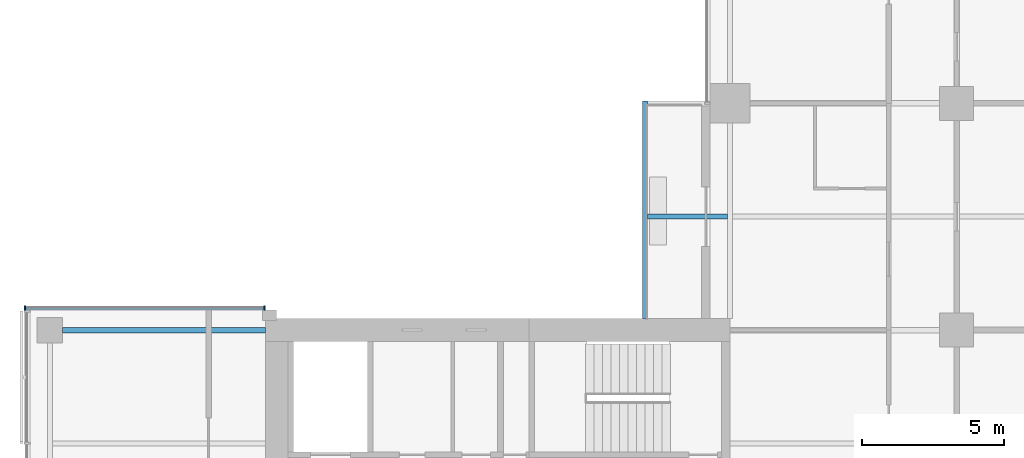
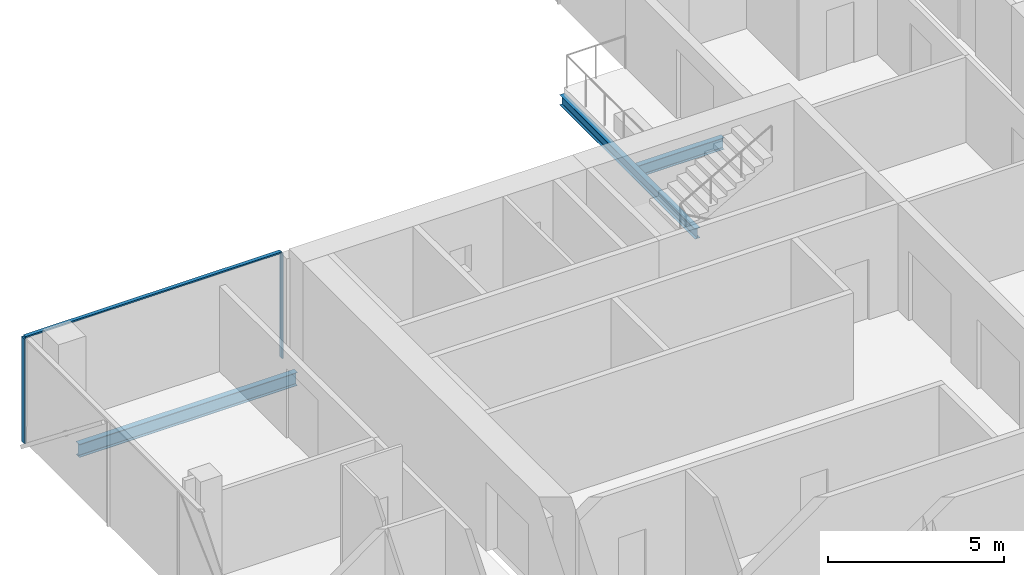
# One storey, part 8 of 27: 3 beams, 3 members, 1 element without a shape of its own.
"""IFC4 building model written with IfcOpenShell, lengths in metres."""

from ifc_helpers import new_model, si_unit, direction, frame, origin, origin_2d, place, context, subcontext, project, spatial, rectangle, i_section, extrude, material, material_profile, profile_set, type_object, element, aggregate, save


model = new_model("IFC4")

# Units and contexts
model_context = context("Model", 3, precision=1e-05, world=origin(), true_north=direction((0.0, 1.0)))
body_context = subcontext(model_context, "Body", "Model", "MODEL_VIEW")
ifc_project = project(units=[si_unit("LENGTHUNIT", "METRE"), si_unit("AREAUNIT", "SQUARE_METRE"), si_unit("VOLUMEUNIT", "CUBIC_METRE"), si_unit("PLANEANGLEUNIT", "RADIAN"), si_unit("MASSUNIT", "GRAM", prefix="KILO")], contexts=[model_context])

# Site, building, storey
site_placement = place(None, origin())
site = spatial("IfcSite", under=ifc_project, at=site_placement, CompositionType="ELEMENT")
building_placement = place(site_placement, origin())
building = spatial("IfcBuilding", under=site, at=building_placement, Name="Crosswind Convention Tower", CompositionType="ELEMENT")
storey_placement = place(building_placement, frame((0.0, 0.0, 83.10009765625)))
storey = spatial("IfcBuildingStorey", under=building, at=storey_placement, Name="L15", CompositionType="ELEMENT", Elevation=83.10009765625)

# Beams
ifc_material_1 = material(Name="Steel S355", Category="steel")
ifc_material_profile_1 = material_profile(ifc_material_1, i_section(OverallWidth=0.177734375, OverallDepth=0.406494140625, WebThickness=0.0078125, FlangeThickness=0.0126953125, FilletRadius=0.01025390625, at=origin_2d()), Name="UB 406x178x60")
ifc_profile_set_1 = profile_set([ifc_material_profile_1], Name="Steel S355")
beam_type_1 = type_object("IfcBeamType", Name="Balcony cantilever UB 406x178x60", PredefinedType="BEAM", material=ifc_profile_set_1)
beam_1_placement = place(storey_placement, frame((112.90478515625, 116.0, -0.4833984375), z_axis=(-1.0, 0.0, 0.0), x_axis=(0.0, -1.0, 0.0)))
element("IfcBeam", 1, at=beam_1_placement, inside=storey, type_object=beam_type_1, Name="B35 L15 balcony cantilever NW 4", PredefinedType="BEAM", context=body_context, shape_type="SweptSolid", body=[
    extrude(i_section(OverallWidth=0.177734375, OverallDepth=0.406494140625, WebThickness=0.0078125, FlangeThickness=0.0126953125, FilletRadius=0.01025390625, at=origin_2d()), origin(), (0.0, 0.0, 1.0), 2.8193359375),
])
ifc_material_profile_2 = material_profile(ifc_material_1, i_section(OverallWidth=0.1708984375, OverallDepth=0.35205078125, WebThickness=0.0068359375, FlangeThickness=0.009765625, FilletRadius=0.01025390625, at=origin_2d()), Name="UB 356x171x45")
ifc_profile_set_2 = profile_set([ifc_material_profile_2], Name="Steel S355")
beam_type_2 = type_object("IfcBeamType", Name="Balcony edge beam UB 356x171x45", PredefinedType="BEAM", material=ifc_profile_set_2)
beam_2_placement = place(storey_placement, frame((110.0, 112.39990234375, -0.4560546875), z_axis=(0.0, 1.0, 0.0), x_axis=(-1.0, 0.0, 0.0)))
element("IfcBeam", 2, at=beam_2_placement, inside=storey, type_object=beam_type_2, Name="B37 L15 balcony edge beam NW 6", PredefinedType="BEAM", context=body_context, shape_type="SweptSolid", body=[
    extrude(i_section(OverallWidth=0.1708984375, OverallDepth=0.35205078125, WebThickness=0.0068359375, FlangeThickness=0.009765625, FilletRadius=0.01025390625, at=origin_2d()), origin(), (0.0, 0.0, 1.0), 7.68896484375),
])
ifc_material_profile_3 = material_profile(ifc_material_1, i_section(OverallWidth=0.1904296875, OverallDepth=0.457275390625, WebThickness=0.009033203125, FlangeThickness=0.014404296875, FilletRadius=0.01025390625, at=origin_2d()), Name="UB 457x191x75")
ifc_profile_set_3 = profile_set([ifc_material_profile_3], Name="Steel S355")
beam_type_3 = type_object("IfcBeamType", Name="Edge beam UB 457x191x75", PredefinedType="SPANDREL", material=ifc_profile_set_3)
beam_3_placement = place(storey_placement, frame((89.449951171875, 112.0, -0.5087890625), z_axis=(1.0, 0.0, 0.0), x_axis=(0.0, 1.0, 0.0)))
element("IfcBeam", 3, at=beam_3_placement, inside=storey, type_object=beam_type_3, Name="B17 L15 edge beam 5", PredefinedType="SPANDREL", context=body_context, shape_type="SweptSolid", body=[
    extrude(i_section(OverallWidth=0.1904296875, OverallDepth=0.457275390625, WebThickness=0.009033203125, FlangeThickness=0.014404296875, FilletRadius=0.01025390625, at=origin_2d()), origin(), (0.0, 0.0, 1.0), 7.150146484375),
])

# Curtain wall, members
ifc_material_2 = material(Name="Aluminium unitised curtain wall", Category="aluminium")
curtain_wall_type = type_object("IfcCurtainWallType", Name="CORE END SLOT WALL 160", PredefinedType="USERDEFINED", material=ifc_material_2)
curtain_wall_placement = place(storey_placement, origin())
curtain_wall = element("IfcCurtainWall", 4, at=curtain_wall_placement, inside=storey, type_object=curtain_wall_type, Name="CW6 L15 W-N.2-1 slot", ObjectType="UNITISED", PredefinedType="USERDEFINED")
ifc_material_3 = material(Name="Aluminium mullion", Category="aluminium")
ifc_material_profile_4 = material_profile(ifc_material_3, rectangle(XDim=0.159912109375, YDim=0.050048828125, at=origin_2d()), Name="AL 160X50")
ifc_profile_set_4 = profile_set([ifc_material_profile_4], Name="Aluminium mullion")
member_type_1 = type_object("IfcMemberType", Name="MULLION 50X160", PredefinedType="MULLION", material=ifc_profile_set_4)
member_1_placement = place(storey_placement, frame((96.574951171875, 112.780029296875, -0.280029296875), z_axis=(0.0, 0.0, 1.0), x_axis=(0.0, 1.0, 0.0)))
member_1 = element("IfcMember", 5, at=member_1_placement, type_object=member_type_1, Name="CW6 mullion 1", PredefinedType="MULLION", context=body_context, shape_type="SweptSolid", body=[
    extrude(rectangle(XDim=0.159912109375, YDim=0.050048828125, at=origin_2d()), origin(), (0.0, 0.0, 1.0), 3.64990234375),
])
member_2_placement = place(storey_placement, frame((88.125, 112.780029296875, -0.280029296875), z_axis=(0.0, 0.0, 1.0), x_axis=(0.0, 1.0, 0.0)))
member_2 = element("IfcMember", 6, at=member_2_placement, type_object=member_type_1, Name="CW6 mullion 2", PredefinedType="MULLION", context=body_context, shape_type="SweptSolid", body=[
    extrude(rectangle(XDim=0.159912109375, YDim=0.050048828125, at=origin_2d()), origin(), (0.0, 0.0, 1.0), 3.64990234375),
])
ifc_material_4 = material(Name="Aluminium transom", Category="aluminium")
ifc_material_profile_5 = material_profile(ifc_material_4, rectangle(XDim=0.1201171875, YDim=0.050048828125, at=origin_2d()), Name="AL 120X50")
ifc_profile_set_5 = profile_set([ifc_material_profile_5], Name="Aluminium transom")
member_type_2 = type_object("IfcMemberType", Name="TRANSOM 50X120", PredefinedType="USERDEFINED", material=ifc_profile_set_5)
member_3_placement = place(storey_placement, frame((96.550048828125, 112.780029296875, 3.39501953125), z_axis=(-1.0, 0.0, 0.0), x_axis=(0.0, -1.0, 0.0)))
member_3 = element("IfcMember", 7, at=member_3_placement, type_object=member_type_2, Name="CW6 transom", ObjectType="TRANSOM", PredefinedType="USERDEFINED", context=body_context, shape_type="SweptSolid", body=[
    extrude(rectangle(XDim=0.1201171875, YDim=0.050048828125, at=origin_2d()), origin(), (0.0, 0.0, 1.0), 8.400146484375),
])
aggregate(curtain_wall, [member_1, member_2, member_3])

save(model, "model.ifc")
